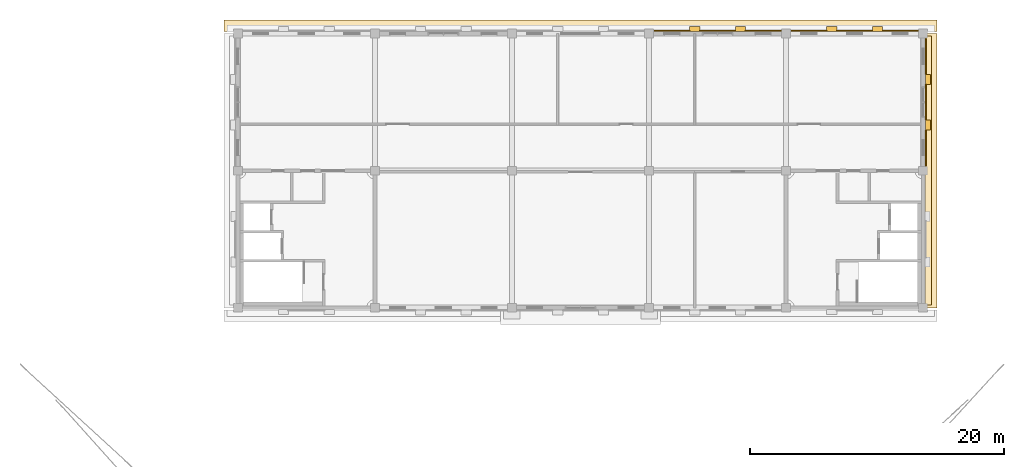
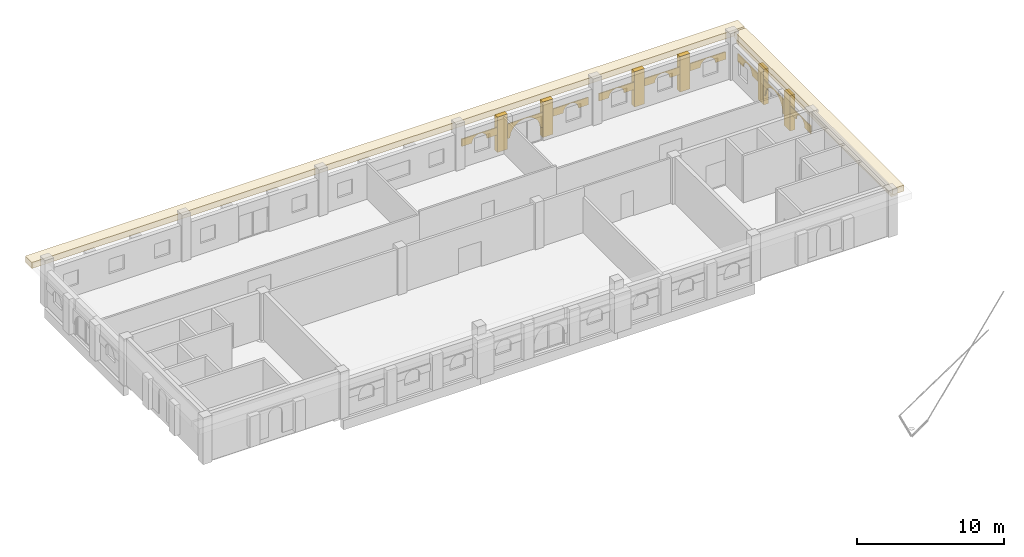
# One storey, part 10 of 10: 18 coverings.
"""IFC4 building model written with IfcOpenShell, lengths in metres."""

from ifc_helpers import new_model, si_unit, direction, frame, origin, origin_2d, place, context, subcontext, project, spatial, polyline, rectangle, outline, extrude, material, layer, layer_set, type_object, element, save


model = new_model("IFC4")

# Units and contexts
model_context = context("Model", 3, precision=1e-05, world=origin(), true_north=direction((0.0, 1.0)))
body_context = subcontext(model_context, "Body", "Model", "MODEL_VIEW")
ifc_project = project(units=[si_unit("LENGTHUNIT", "METRE"), si_unit("AREAUNIT", "SQUARE_METRE"), si_unit("VOLUMEUNIT", "CUBIC_METRE"), si_unit("PLANEANGLEUNIT", "RADIAN"), si_unit("MASSUNIT", "GRAM", prefix="KILO")], contexts=[model_context])

# Site, building, storey
site_placement = place(None, origin())
site = spatial("IfcSite", under=ifc_project, at=site_placement, CompositionType="ELEMENT")
building_placement = place(site_placement, origin())
building = spatial("IfcBuilding", under=site, at=building_placement, Name="Magnolia Steps Interchange", CompositionType="ELEMENT")
storey_placement = place(building_placement, frame((0.0, 0.0, 24.300048828125)))
storey = spatial("IfcBuildingStorey", under=building, at=storey_placement, Name="L06", CompositionType="ELEMENT", Elevation=24.300048828125)

# Coverings
ifc_material_1 = material(Name="Lime render")
ifc_layer_1 = layer(ifc_material_1, 0.080078125)
ifc_layer_set_1 = layer_set([ifc_layer_1], Name="Lime render arch infill")
covering_type_1 = type_object("IfcCoveringType", Name="Lime render arch infill", PredefinedType="CLADDING", material=ifc_layer_set_1)
covering_1_placement = place(storey_placement, frame((118.175048828125, 111.199951171875, 0.8798828125), z_axis=(-1.0, 0.0, 0.0), x_axis=(0.0, 0.0, 1.0)))
element("IfcCovering", 1, at=covering_1_placement, inside=storey, type_object=covering_type_1, Name="Arched head over opening g2", PredefinedType="CLADDING", context=body_context, shape_type="SweptSolid", body=[
    extrude(outline(polyline([(0.0, 0.0), (1.219970703, 0.0), (1.219970703, 2.800048828), (0.0, 2.800048828), (0.0, 2.600097656), (0.267089844, 2.570068359), (0.520751953, 2.481201172), (0.748291016, 2.338134766), (0.938232422, 2.148193359), (1.081298828, 1.920654297), (1.169921875, 1.666992188), (1.199951172, 1.400146484), (1.169921875, 1.133056641), (1.081298828, 0.879394531), (0.938232422, 0.651855469), (0.748291016, 0.461914062), (0.520751953, 0.318847656), (0.267089844, 0.230224609), (0.0, 0.199951172), (0.0, 0.0)])), origin(), (0.0, 0.0, -1.0), 0.080078125),
])
covering_2_placement = place(storey_placement, frame((118.175048828125, 107.60009765625, 1.47998046875), z_axis=(-1.0, 0.0, 0.0), x_axis=(0.0, 0.0, 1.0)))
element("IfcCovering", 2, at=covering_2_placement, inside=storey, type_object=covering_type_1, Name="Arched head over opening W00180", PredefinedType="CLADDING", context=body_context, shape_type="SweptSolid", body=[
    extrude(outline(polyline([(0.0, 0.0), (0.619873047, 0.0), (0.619873047, 2.799804688), (0.0, 2.799804688), (0.0, 2.0), (0.133544922, 1.984863281), (0.260253906, 1.940429688), (0.374023438, 1.868896484), (0.468994141, 1.773925781), (0.540527344, 1.66015625), (0.584960938, 1.533447266), (0.599853516, 1.399902344), (0.584960938, 1.266357422), (0.540527344, 1.139648438), (0.468994141, 1.025878906), (0.374023438, 0.930908203), (0.260253906, 0.859375), (0.133544922, 0.814941406), (0.0, 0.799804688), (0.0, 0.0)])), origin(), (0.0, 0.0, -1.0), 0.080078125),
])
covering_3_placement = place(storey_placement, frame((118.175048828125, 114.800048828125, 1.47998046875), z_axis=(-1.0, 0.0, 0.0), x_axis=(0.0, 0.0, 1.0)))
element("IfcCovering", 3, at=covering_3_placement, inside=storey, type_object=covering_type_1, Name="Arched head over opening W00240", PredefinedType="CLADDING", context=body_context, shape_type="SweptSolid", body=[
    extrude(outline(polyline([(0.0, 0.0), (0.619873047, 0.0), (0.619873047, 2.800048828), (0.0, 2.800048828), (0.0, 2.0), (0.133544922, 1.984863281), (0.260253906, 1.940429688), (0.374023438, 1.869140625), (0.468994141, 1.774169922), (0.540527344, 1.66015625), (0.584960938, 1.533447266), (0.599853516, 1.399902344), (0.584960938, 1.266357422), (0.540527344, 1.139648438), (0.468994141, 1.025878906), (0.374023438, 0.930908203), (0.260253906, 0.859375), (0.133544922, 0.814941406), (0.0, 0.800048828), (0.0, 0.0)])), origin(), (0.0, 0.0, -1.0), 0.080078125),
])
covering_4_placement = place(storey_placement, frame((100.60009765625, 118.175048828125, 0.8798828125), z_axis=(0.0, -1.0, 0.0), x_axis=(0.111727497739, 0.0, 0.993738882327)))
element("IfcCovering", 4, at=covering_4_placement, inside=storey, type_object=covering_type_1, Name="Arched head over opening g4", PredefinedType="CLADDING", context=body_context, shape_type="SweptSolid", body=[
    extrude(outline(polyline([(0.0, 0.0), (0.268772661, 0.0), (0.530748193, -0.059727135), (0.772847059, -0.176475415), (0.982820897, -0.344005898), (1.150413918, -0.55413586), (1.266823118, -0.79630813), (1.326505678, -1.058370595), (1.326478401, -1.326900644), (1.266778543, -1.589118788), (1.150002986, -1.830975041), (0.98249978, -2.041191492), (0.772342541, -2.208541901), (0.530197548, -2.325193713), (0.268135084, -2.384876273), (0.290475128, -2.583575527), (1.502807451, -2.447271253), (1.189965002, 0.33524614), (-0.022367321, 0.198941866), (0.0, 0.0)])), origin(), (0.0, 0.0, -1.0), 0.080078125),
])
covering_5_placement = place(storey_placement, frame((97.60009765625, 118.175048828125, 1.47998046875), z_axis=(0.0, -1.0, 0.0), x_axis=(0.1108303469, 0.0, 0.993839340239)))
element("IfcCovering", 5, at=covering_5_placement, inside=storey, type_object=covering_type_1, Name="Arched head over opening W01680", PredefinedType="CLADDING", context=body_context, shape_type="SweptSolid", body=[
    extrude(outline(polyline([(0.0, 0.0), (0.134372747, 0.0), (0.265225711, -0.030116653), (0.386222396, -0.088600048), (0.491133653, -0.172460033), (0.574835281, -0.277600619), (0.633038335, -0.398604402), (0.662639995, -0.529676049), (0.662639995, -0.664048796), (0.632523343, -0.79490176), (0.574067006, -0.916141082), (0.490207021, -1.021052339), (0.385039377, -1.10451133), (0.264035594, -1.162714384), (0.132991005, -1.192558681), (0.221660694, -1.98767868), (0.837714914, -1.918977936), (0.527384531, 0.863820744), (-0.088669689, 0.79512), (0.0, 0.0)])), origin(), (0.0, 0.0, -1.0), 0.080078125),
])
covering_6_placement = place(storey_placement, frame((104.800048828125, 118.175048828125, 1.47998046875), z_axis=(0.0, -1.0, 0.0), x_axis=(0.1108303469, 0.0, 0.993839340239)))
element("IfcCovering", 6, at=covering_6_placement, inside=storey, type_object=covering_type_1, Name="Arched head over opening W00240", PredefinedType="CLADDING", context=body_context, shape_type="SweptSolid", body=[
    extrude(outline(polyline([(0.0, 0.0), (0.134372747, 0.0), (0.265225711, -0.030116653), (0.386222396, -0.088600048), (0.491133653, -0.172460033), (0.574835281, -0.277600619), (0.633065394, -0.398847038), (0.662639995, -0.529676049), (0.662639995, -0.664048796), (0.632550401, -0.795144396), (0.574067006, -0.916141082), (0.490207021, -1.021052339), (0.385066435, -1.104753967), (0.264062652, -1.162957021), (0.132991005, -1.192558681), (0.221660694, -1.98767868), (0.837714914, -1.918977936), (0.527384531, 0.863820744), (-0.088669689, 0.79512), (0.0, 0.0)])), origin(), (0.0, 0.0, -1.0), 0.080078125),
])
covering_7_placement = place(storey_placement, frame((108.39990234375, 118.175048828125, 1.47998046875), z_axis=(0.0, -1.0, 0.0), x_axis=(0.112624375469, 0.0, 0.993637635182)))
element("IfcCovering", 7, at=covering_7_placement, inside=storey, type_object=covering_type_1, Name="Arched head over opening W00600", PredefinedType="CLADDING", context=body_context, shape_type="SweptSolid", body=[
    extrude(outline(polyline([(0.0, 0.0), (0.134400024, 0.0), (0.265307145, -0.029880371), (0.386409216, -0.088145231), (0.491471697, -0.17181568), (0.575363002, -0.276804986), (0.633784413, -0.397703495), (0.663622652, -0.528721488), (0.66386524, -0.663094016), (0.633984869, -0.794001137), (0.575720009, -0.915103208), (0.49204956, -1.020165689), (0.387060254, -1.104056994), (0.266161744, -1.162478405), (0.135171248, -1.192559232), (0.225248751, -1.98727527), (0.841177939, -1.917462456), (0.525851685, 0.864528853), (-0.090077503, 0.794716038), (0.0, 0.0)])), origin(), (0.0, 0.0, -1.0), 0.080078125),
])
covering_8_placement = place(storey_placement, frame((112.0, 118.175048828125, 1.47998046875), z_axis=(0.0, -1.0, 0.0), x_axis=(0.1108303469, 0.0, 0.993839340239)))
element("IfcCovering", 8, at=covering_8_placement, inside=storey, type_object=covering_type_1, Name="Arched head over opening W00960", PredefinedType="CLADDING", context=body_context, shape_type="SweptSolid", body=[
    extrude(outline(polyline([(0.0, 0.0), (0.134372747, 0.0), (0.265225711, -0.030116653), (0.386222396, -0.088600048), (0.491133653, -0.172460033), (0.574835281, -0.277600619), (0.633065394, -0.398847038), (0.662667054, -0.529918686), (0.662639995, -0.664048796), (0.632550401, -0.795144396), (0.574067006, -0.916141082), (0.490207021, -1.021052339), (0.385066435, -1.104753967), (0.264062652, -1.162957021), (0.132991005, -1.192558681), (0.221660694, -1.98767868), (0.837714914, -1.918977936), (0.527384531, 0.863820744), (-0.088669689, 0.79512), (0.0, 0.0)])), origin(), (0.0, 0.0, -1.0), 0.080078125),
])
covering_9_placement = place(storey_placement, frame((115.60009765625, 118.175048828125, 1.47998046875), z_axis=(0.0, -1.0, 0.0), x_axis=(0.1108303469, 0.0, 0.993839340239)))
element("IfcCovering", 9, at=covering_9_placement, inside=storey, type_object=covering_type_1, Name="Arched head over opening W01320", PredefinedType="CLADDING", context=body_context, shape_type="SweptSolid", body=[
    extrude(outline(polyline([(0.0, 0.0), (0.134372747, 0.0), (0.265225711, -0.030116653), (0.386222396, -0.088600048), (0.491133653, -0.172460033), (0.574835281, -0.277600619), (0.633038335, -0.398604402), (0.662639995, -0.529676049), (0.662639995, -0.664048796), (0.632523343, -0.79490176), (0.574067006, -0.916141082), (0.490207021, -1.021052339), (0.385039377, -1.10451133), (0.264035594, -1.162714384), (0.132991005, -1.192558681), (0.221660694, -1.98767868), (0.837714914, -1.918977936), (0.527384531, 0.863820744), (-0.088669689, 0.79512), (0.0, 0.0)])), origin(), (0.0, 0.0, -1.0), 0.080078125),
])
ifc_material_2 = material(Name="Lime render")
ifc_layer_2 = layer(ifc_material_2, 0.1201171875)
ifc_layer_set_2 = layer_set([ifc_layer_2], Name="Lime render band")
covering_type_2 = type_object("IfcCoveringType", Name="Lime render band", PredefinedType="CLADDING", material=ifc_layer_set_2)
covering_10_placement = place(storey_placement, frame((91.0, 118.625, 3.18994140625), z_axis=(0.0, 0.0, 1.0), x_axis=(1.0, 0.0, 0.0)))
element("IfcCovering", 10, at=covering_10_placement, inside=storey, type_object=covering_type_2, Name="Cornice L06 N", PredefinedType="CLADDING", context=body_context, shape_type="SweptSolid", body=[
    extrude(rectangle(XDim=56.14990234375, YDim=0.89990234375, at=origin_2d()), origin(), (0.0, 0.0, 1.0), 0.5),
])
covering_11_placement = place(storey_placement, frame((118.625, 107.199951171875, 3.18994140625), z_axis=(0.0, 0.0, 1.0), x_axis=(1.0, 0.0, 0.0)))
element("IfcCovering", 11, at=covering_11_placement, inside=storey, type_object=covering_type_2, Name="Cornice L06 E", PredefinedType="CLADDING", context=body_context, shape_type="SweptSolid", body=[
    extrude(rectangle(XDim=0.89990234375, YDim=21.60009765625, at=origin_2d()), origin(), (0.0, 0.0, 1.0), 0.5),
])
covering_12_placement = place(storey_placement, frame((118.422607421875, 107.199951171875, 2.89013671875), z_axis=(0.0, 0.0, 1.0), x_axis=(1.0, 0.0, 0.0)))
element("IfcCovering", 12, at=covering_12_placement, inside=storey, type_object=covering_type_2, Name="Cornice step L06 E", PredefinedType="CLADDING", context=body_context, shape_type="SweptSolid", body=[
    extrude(rectangle(XDim=0.4951171875, YDim=21.199951171875, at=origin_2d()), origin(), (0.0, 0.0, 1.0), 0.300048828125),
])
ifc_material_3 = material(Name="Lime render")
ifc_layer_3 = layer(ifc_material_3, 0.39990234375)
ifc_layer_set_3 = layer_set([ifc_layer_3], Name="Lime render pilaster")
covering_type_3 = type_object("IfcCoveringType", Name="Lime render pilaster", PredefinedType="CLADDING", material=ifc_layer_set_3)
for number, where, z_axis, x_axis, name in (
    (13, (100.0, 118.375, 0.0), (0.0, 0.0, 1.0), (1.0, 0.0, 0.0), "Pilaster L06 N 7"),
    (14, (103.60009765625, 118.375, 0.0), (0.0, 0.0, 1.0), (1.0, 0.0, 0.0), "Pilaster L06 N 8"),
    (15, (110.800048828125, 118.375, 0.0), (0.0, 0.0, 1.0), (1.0, 0.0, 0.0), "Pilaster L06 N 9"),
    (16, (114.39990234375, 118.375, 0.0), (0.0, 0.0, 1.0), (1.0, 0.0, 0.0), "Pilaster L06 N 10"),
):
    element("IfcCovering", number, at=place(storey_placement, frame(where, z_axis=z_axis, x_axis=x_axis)), inside=storey, type_object=covering_type_3, Name=name, PredefinedType="CLADDING", context=body_context, shape_type="SweptSolid", body=[
        extrude(rectangle(XDim=0.800048828125, YDim=0.39990234375, at=origin_2d()), origin(), (0.0, 0.0, 1.0), 2.949951171875),
    ])
for number, where, z_axis, x_axis, name in (
    (17, (118.375, 110.800048828125, 0.0), (0.0, 0.0, 1.0), (1.0, 0.0, 0.0), "Pilaster L06 E 1"),
    (18, (118.375, 114.39990234375, 0.0), (0.0, 0.0, 1.0), (1.0, 0.0, 0.0), "Pilaster L06 E 2"),
):
    element("IfcCovering", number, at=place(storey_placement, frame(where, z_axis=z_axis, x_axis=x_axis)), inside=storey, type_object=covering_type_3, Name=name, PredefinedType="CLADDING", context=body_context, shape_type="SweptSolid", body=[
        extrude(rectangle(XDim=0.39990234375, YDim=0.800048828125, at=origin_2d()), origin(), (0.0, 0.0, 1.0), 2.949951171875),
    ])

save(model, "model.ifc")
